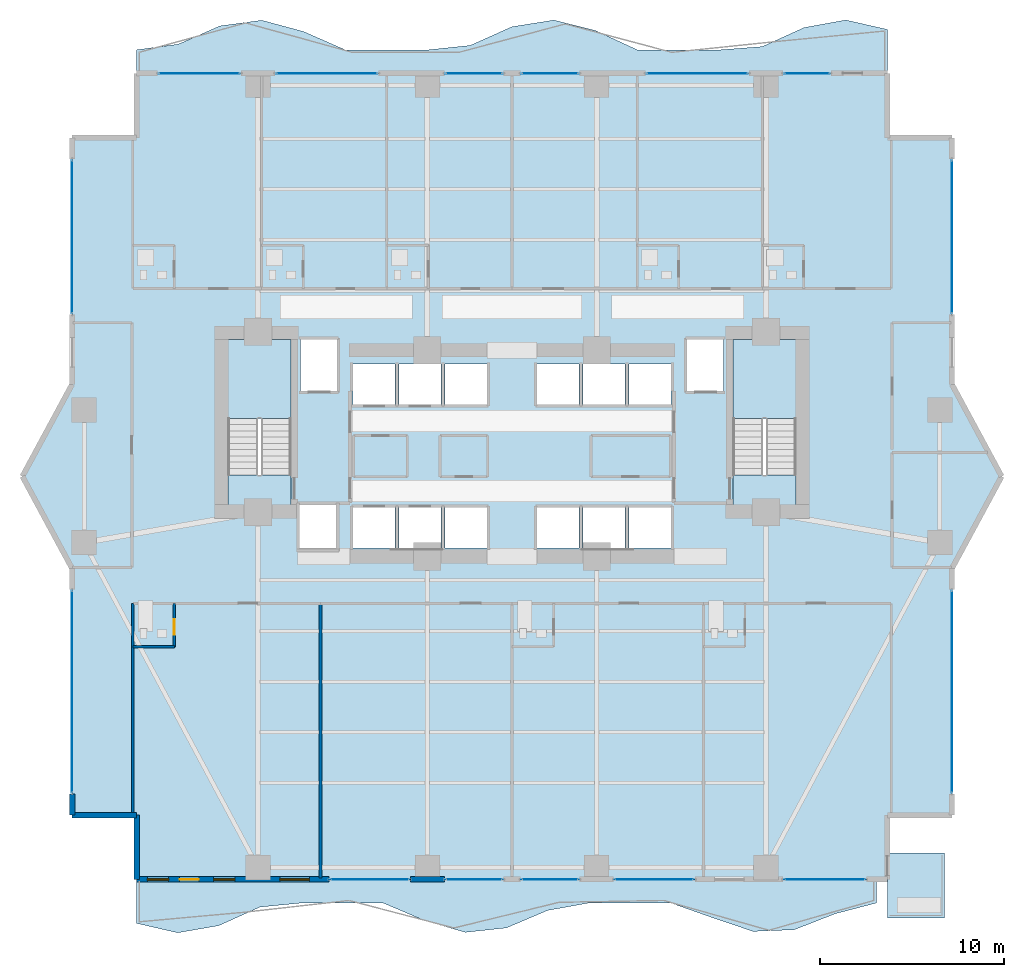
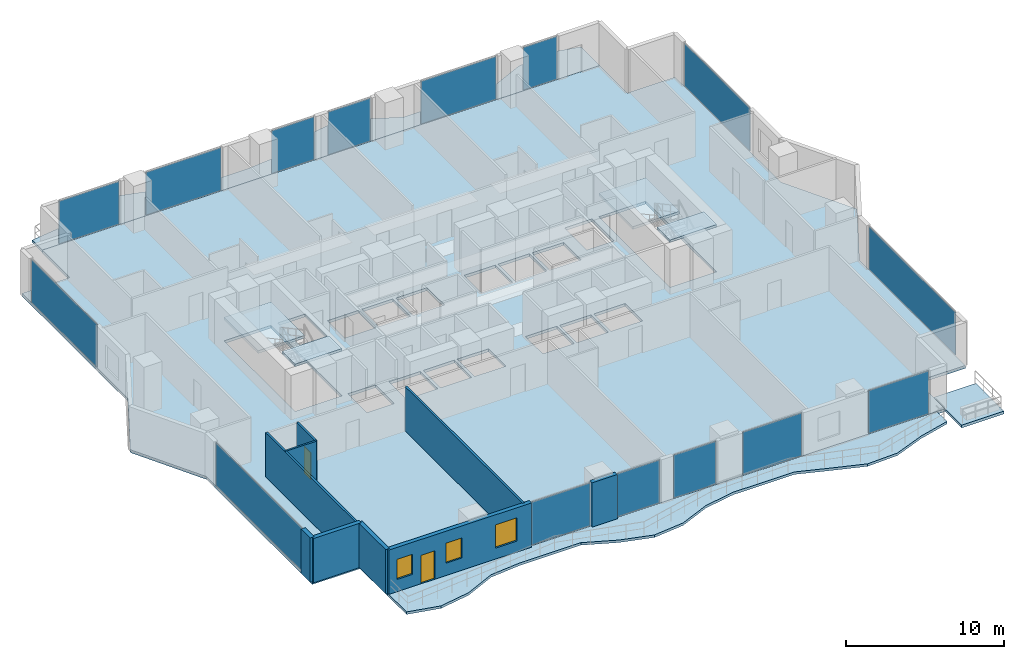
# One storey, part 20 of 29: 15 plates, 9 walls, 8 slabs, 3 windows, 2 doors, 5 openings, 17 elements without a shape of their own.
"""IFC4 building model written with IfcOpenShell, lengths in metres."""

from ifc_helpers import new_model, si_unit, direction, frame, frame_2d, origin, origin_2d, place, context, subcontext, project, spatial, polyline, rectangle, outline, extrude, material, layer, layer_set, type_object, element, fill, aggregate, save


model = new_model("IFC4")

# Units and contexts
model_context = context("Model", 3, precision=1e-05, world=origin(), true_north=direction((0.0, 1.0)))
body_context = subcontext(model_context, "Body", "Model", "MODEL_VIEW")
ifc_project = project(units=[si_unit("LENGTHUNIT", "METRE"), si_unit("AREAUNIT", "SQUARE_METRE"), si_unit("VOLUMEUNIT", "CUBIC_METRE"), si_unit("PLANEANGLEUNIT", "RADIAN"), si_unit("MASSUNIT", "GRAM", prefix="KILO")], contexts=[model_context])

# Site, building, storey
site_placement = place(None, origin())
site = spatial("IfcSite", under=ifc_project, at=site_placement, CompositionType="ELEMENT")
building_placement = place(site_placement, origin())
building = spatial("IfcBuilding", under=site, at=building_placement, Name="Zuhayl Quay Hotel", CompositionType="ELEMENT")
storey_placement = place(building_placement, frame((0.0, 0.0, 132.14990234375)))
storey = spatial("IfcBuildingStorey", under=building, at=storey_placement, Name="L33", CompositionType="ELEMENT", Elevation=132.14990234375)

# Curtain wall, plate
ifc_material_1 = material(Name="Anodised Aluminium 6063-T6", Category="aluminium")
ifc_layer_1 = layer(ifc_material_1, 0.179931640625, Name="Anodised Aluminium 6063-T6", Category="aluminium")
ifc_layer_set_1 = layer_set([ifc_layer_1], Name="Anodised Aluminium 6063-T6")
curtain_wall_type = type_object("IfcCurtainWallType", Name="CW_SYS_Z2", PredefinedType="USERDEFINED", material=ifc_layer_set_1)
curtain_wall_1_placement = place(storey_placement, origin())
curtain_wall_1 = element("IfcCurtainWall", 1, at=curtain_wall_1_placement, inside=storey, type_object=curtain_wall_type, Name="L33 Curtain Wall ENV_L33_E02_CW1", ObjectType="UNITISED CURTAIN WALL", PredefinedType="USERDEFINED")
ifc_material_2 = material(Name="Dark Ceramic-Fritted Solar Glass", Category="glass")
ifc_layer_2 = layer(ifc_material_2, 0.035888671875, Name="Dark Ceramic-Fritted Solar Glass", Category="glass")
ifc_layer_set_2 = layer_set([ifc_layer_2], Name="Dark Ceramic-Fritted Solar Glass")
plate_type = type_object("IfcPlateType", Name="PN_DARK_FRIT_Z1", PredefinedType="CURTAIN_PANEL", material=ifc_layer_set_2)
plate_1_placement = place(storey_placement, frame((-23.89990234375, -5.199951171875, 0.06005859375), z_axis=(0.0, 0.0, 1.0), x_axis=(0.0, 1.0, 0.0)))
plate_1 = element("IfcPlate", 2, at=plate_1_placement, type_object=plate_type, Name="CW-Z2 panel 1.1", PredefinedType="CURTAIN_PANEL", context=body_context, shape_type="SweptSolid", body=[
    extrude(rectangle(XDim=10.969970703125, YDim=0.035888671875, at=origin_2d()), origin(), (0.0, 0.0, 1.0), 3.31005859375),
])
aggregate(curtain_wall_1, [plate_1])

curtain_wall_2_placement = place(storey_placement, origin())
curtain_wall_2 = element("IfcCurtainWall", 3, at=curtain_wall_2_placement, inside=storey, type_object=curtain_wall_type, Name="L33 Curtain Wall ENV_L33_E05_CW1", ObjectType="UNITISED CURTAIN WALL", PredefinedType="USERDEFINED")
plate_2_placement = place(storey_placement, frame((-23.89990234375, 19.52490234375, 0.06005859375), z_axis=(0.0, 0.0, 1.0), x_axis=(0.0, 1.0, 0.0)))
plate_2 = element("IfcPlate", 4, at=plate_2_placement, type_object=plate_type, Name="CW-Z2 panel 1.1", PredefinedType="CURTAIN_PANEL", context=body_context, shape_type="SweptSolid", body=[
    extrude(rectangle(XDim=8.320068359375, YDim=0.035888671875, at=origin_2d()), origin(), (0.0, 0.0, 1.0), 3.31005859375),
])
aggregate(curtain_wall_2, [plate_2])

curtain_wall_3_placement = place(storey_placement, origin())
curtain_wall_3 = element("IfcCurtainWall", 5, at=curtain_wall_3_placement, inside=storey, type_object=curtain_wall_type, Name="L33 Curtain Wall ENV_L33_N_CW1", ObjectType="UNITISED CURTAIN WALL", PredefinedType="USERDEFINED")
plate_3_placement = place(storey_placement, frame((-16.985107421875, 28.39990234375, 0.06005859375), z_axis=(0.0, 0.0, 1.0), x_axis=(1.0, 0.0, 0.0)))
plate_3 = element("IfcPlate", 6, at=plate_3_placement, type_object=plate_type, Name="CW-Z2 panel 1.1", PredefinedType="CURTAIN_PANEL", context=body_context, shape_type="SweptSolid", body=[
    extrude(rectangle(XDim=4.39990234375, YDim=0.035888671875, at=origin_2d()), origin(), (0.0, 0.0, 1.0), 3.31005859375),
])
aggregate(curtain_wall_3, [plate_3])

curtain_wall_4_placement = place(storey_placement, origin())
curtain_wall_4 = element("IfcCurtainWall", 7, at=curtain_wall_4_placement, inside=storey, type_object=curtain_wall_type, Name="L33 Curtain Wall ENV_L33_N_CW2", ObjectType="UNITISED CURTAIN WALL", PredefinedType="USERDEFINED")
plate_4_placement = place(storey_placement, frame((-10.06494140625, 28.39990234375, 0.06005859375), z_axis=(0.0, 0.0, 1.0), x_axis=(1.0, 0.0, 0.0)))
plate_4 = element("IfcPlate", 8, at=plate_4_placement, type_object=plate_type, Name="CW-Z2 panel 1.1", PredefinedType="CURTAIN_PANEL", context=body_context, shape_type="SweptSolid", body=[
    extrude(rectangle(XDim=5.5, YDim=0.035888671875, at=origin_2d()), origin(), (0.0, 0.0, 1.0), 3.31005859375),
])
aggregate(curtain_wall_4, [plate_4])

curtain_wall_5_placement = place(storey_placement, origin())
curtain_wall_5 = element("IfcCurtainWall", 9, at=curtain_wall_5_placement, inside=storey, type_object=curtain_wall_type, Name="L33 Curtain Wall ENV_L33_N_CW3", ObjectType="UNITISED CURTAIN WALL", PredefinedType="USERDEFINED")
plate_5_placement = place(storey_placement, frame((-2.06494140625, 28.39990234375, 0.06005859375), z_axis=(0.0, 0.0, 1.0), x_axis=(1.0, 0.0, 0.0)))
plate_5 = element("IfcPlate", 10, at=plate_5_placement, type_object=plate_type, Name="CW-Z2 panel 1.1", PredefinedType="CURTAIN_PANEL", context=body_context, shape_type="SweptSolid", body=[
    extrude(rectangle(XDim=3.10009765625, YDim=0.035888671875, at=origin_2d()), origin(), (0.0, 0.0, 1.0), 3.31005859375),
])
aggregate(curtain_wall_5, [plate_5])

curtain_wall_6_placement = place(storey_placement, origin())
curtain_wall_6 = element("IfcCurtainWall", 11, at=curtain_wall_6_placement, inside=storey, type_object=curtain_wall_type, Name="L33 Curtain Wall ENV_L33_N_CW4", ObjectType="UNITISED CURTAIN WALL", PredefinedType="USERDEFINED")
plate_6_placement = place(storey_placement, frame((2.06494140625, 28.39990234375, 0.06005859375), z_axis=(0.0, 0.0, 1.0), x_axis=(1.0, 0.0, 0.0)))
plate_6 = element("IfcPlate", 12, at=plate_6_placement, type_object=plate_type, Name="CW-Z2 panel 1.1", PredefinedType="CURTAIN_PANEL", context=body_context, shape_type="SweptSolid", body=[
    extrude(rectangle(XDim=3.10009765625, YDim=0.035888671875, at=origin_2d()), origin(), (0.0, 0.0, 1.0), 3.31005859375),
])
aggregate(curtain_wall_6, [plate_6])

curtain_wall_7_placement = place(storey_placement, origin())
curtain_wall_7 = element("IfcCurtainWall", 13, at=curtain_wall_7_placement, inside=storey, type_object=curtain_wall_type, Name="L33 Curtain Wall ENV_L33_N_CW5", ObjectType="UNITISED CURTAIN WALL", PredefinedType="USERDEFINED")
plate_7_placement = place(storey_placement, frame((10.06494140625, 28.39990234375, 0.06005859375), z_axis=(0.0, 0.0, 1.0), x_axis=(1.0, 0.0, 0.0)))
plate_7 = element("IfcPlate", 14, at=plate_7_placement, type_object=plate_type, Name="CW-Z2 panel 1.1", PredefinedType="CURTAIN_PANEL", context=body_context, shape_type="SweptSolid", body=[
    extrude(rectangle(XDim=5.5, YDim=0.035888671875, at=origin_2d()), origin(), (0.0, 0.0, 1.0), 3.31005859375),
])
aggregate(curtain_wall_7, [plate_7])

curtain_wall_8_placement = place(storey_placement, origin())
curtain_wall_8 = element("IfcCurtainWall", 15, at=curtain_wall_8_placement, inside=storey, type_object=curtain_wall_type, Name="L33 Curtain Wall ENV_L33_N_CW6", ObjectType="UNITISED CURTAIN WALL", PredefinedType="USERDEFINED")
plate_8_placement = place(storey_placement, frame((16.0224609375, 28.39990234375, 0.06005859375), z_axis=(0.0, 0.0, 1.0), x_axis=(1.0, 0.0, 0.0)))
plate_8 = element("IfcPlate", 16, at=plate_8_placement, type_object=plate_type, Name="CW-Z2 panel 1.1", PredefinedType="CURTAIN_PANEL", context=body_context, shape_type="SweptSolid", body=[
    extrude(rectangle(XDim=2.47509765625, YDim=0.035888671875, at=origin_2d()), origin(), (0.0, 0.0, 1.0), 3.31005859375),
])
aggregate(curtain_wall_8, [plate_8])

curtain_wall_9_placement = place(storey_placement, origin())
curtain_wall_9 = element("IfcCurtainWall", 17, at=curtain_wall_9_placement, inside=storey, type_object=curtain_wall_type, Name="L33 Curtain Wall ENV_L33_E11_CW1", ObjectType="UNITISED CURTAIN WALL", PredefinedType="USERDEFINED")
plate_9_placement = place(storey_placement, frame((23.89990234375, 19.52490234375, 0.06005859375), z_axis=(0.0, 0.0, 1.0), x_axis=(0.0, -1.0, 0.0)))
plate_9 = element("IfcPlate", 18, at=plate_9_placement, type_object=plate_type, Name="CW-Z2 panel 1.1", PredefinedType="CURTAIN_PANEL", context=body_context, shape_type="SweptSolid", body=[
    extrude(rectangle(XDim=8.320068359375, YDim=0.035888671875, at=origin_2d()), origin(), (0.0, 0.0, 1.0), 3.31005859375),
])
aggregate(curtain_wall_9, [plate_9])

curtain_wall_10_placement = place(storey_placement, origin())
curtain_wall_10 = element("IfcCurtainWall", 19, at=curtain_wall_10_placement, inside=storey, type_object=curtain_wall_type, Name="L33 Curtain Wall ENV_L33_E14_CW1", ObjectType="UNITISED CURTAIN WALL", PredefinedType="USERDEFINED")
plate_10_placement = place(storey_placement, frame((23.89990234375, -5.199951171875, 0.06005859375), z_axis=(0.0, 0.0, 1.0), x_axis=(0.0, -1.0, 0.0)))
plate_10 = element("IfcPlate", 20, at=plate_10_placement, type_object=plate_type, Name="CW-Z2 panel 1.1", PredefinedType="CURTAIN_PANEL", context=body_context, shape_type="SweptSolid", body=[
    extrude(rectangle(XDim=10.969970703125, YDim=0.035888671875, at=origin_2d()), origin(), (0.0, 0.0, 1.0), 3.31005859375),
])
aggregate(curtain_wall_10, [plate_10])

curtain_wall_11_placement = place(storey_placement, origin())
curtain_wall_11 = element("IfcCurtainWall", 21, at=curtain_wall_11_placement, inside=storey, type_object=curtain_wall_type, Name="L33 Curtain Wall ENV_L33_S_CW1", ObjectType="UNITISED CURTAIN WALL", PredefinedType="USERDEFINED")
plate_11_placement = place(storey_placement, frame((16.985107421875, -15.39990234375, 0.06005859375), z_axis=(0.0, 0.0, 1.0), x_axis=(-1.0, 0.0, 0.0)))
plate_11 = element("IfcPlate", 22, at=plate_11_placement, type_object=plate_type, Name="CW-Z2 panel 1.1", PredefinedType="CURTAIN_PANEL", context=body_context, shape_type="SweptSolid", body=[
    extrude(rectangle(XDim=4.39990234375, YDim=0.035888671875, at=origin_2d()), origin(), (0.0, 0.0, 1.0), 3.31005859375),
])
aggregate(curtain_wall_11, [plate_11])

curtain_wall_12_placement = place(storey_placement, origin())
curtain_wall_12 = element("IfcCurtainWall", 23, at=curtain_wall_12_placement, inside=storey, type_object=curtain_wall_type, Name="L33 Curtain Wall ENV_L33_S_CW2", ObjectType="UNITISED CURTAIN WALL", PredefinedType="USERDEFINED")
plate_12_placement = place(storey_placement, frame((7.735107421875, -15.39990234375, 0.06005859375), z_axis=(0.0, 0.0, 1.0), x_axis=(-1.0, 0.0, 0.0)))
plate_12 = element("IfcPlate", 24, at=plate_12_placement, type_object=plate_type, Name="CW-Z2 panel 1.1", PredefinedType="CURTAIN_PANEL", context=body_context, shape_type="SweptSolid", body=[
    extrude(rectangle(XDim=4.300048828125, YDim=0.035888671875, at=origin_2d()), origin(), (0.0, 0.0, 1.0), 3.31005859375),
])
aggregate(curtain_wall_12, [plate_12])

curtain_wall_13_placement = place(storey_placement, origin())
curtain_wall_13 = element("IfcCurtainWall", 25, at=curtain_wall_13_placement, inside=storey, type_object=curtain_wall_type, Name="L33 Curtain Wall ENV_L33_S_CW3", ObjectType="UNITISED CURTAIN WALL", PredefinedType="USERDEFINED")
plate_13_placement = place(storey_placement, frame((2.06494140625, -15.39990234375, 0.06005859375), z_axis=(0.0, 0.0, 1.0), x_axis=(-1.0, 0.0, 0.0)))
plate_13 = element("IfcPlate", 26, at=plate_13_placement, type_object=plate_type, Name="CW-Z2 panel 1.1", PredefinedType="CURTAIN_PANEL", context=body_context, shape_type="SweptSolid", body=[
    extrude(rectangle(XDim=3.10009765625, YDim=0.035888671875, at=origin_2d()), origin(), (0.0, 0.0, 1.0), 3.31005859375),
])
aggregate(curtain_wall_13, [plate_13])

curtain_wall_14_placement = place(storey_placement, origin())
curtain_wall_14 = element("IfcCurtainWall", 27, at=curtain_wall_14_placement, inside=storey, type_object=curtain_wall_type, Name="L33 Curtain Wall ENV_L33_S_CW4", ObjectType="UNITISED CURTAIN WALL", PredefinedType="USERDEFINED")
plate_14_placement = place(storey_placement, frame((-2.06494140625, -15.39990234375, 0.06005859375), z_axis=(0.0, 0.0, 1.0), x_axis=(-1.0, 0.0, 0.0)))
plate_14 = element("IfcPlate", 28, at=plate_14_placement, type_object=plate_type, Name="CW-Z2 panel 1.1", PredefinedType="CURTAIN_PANEL", context=body_context, shape_type="SweptSolid", body=[
    extrude(rectangle(XDim=3.10009765625, YDim=0.035888671875, at=origin_2d()), origin(), (0.0, 0.0, 1.0), 3.31005859375),
])
aggregate(curtain_wall_14, [plate_14])

curtain_wall_15_placement = place(storey_placement, origin())
curtain_wall_15 = element("IfcCurtainWall", 29, at=curtain_wall_15_placement, inside=storey, type_object=curtain_wall_type, Name="L33 Curtain Wall ENV_L33_S_CW5", ObjectType="UNITISED CURTAIN WALL", PredefinedType="USERDEFINED")
plate_15_placement = place(storey_placement, frame((-7.735107421875, -15.39990234375, 0.06005859375), z_axis=(0.0, 0.0, 1.0), x_axis=(-1.0, 0.0, 0.0)))
plate_15 = element("IfcPlate", 30, at=plate_15_placement, type_object=plate_type, Name="CW-Z2 panel 1.1", PredefinedType="CURTAIN_PANEL", context=body_context, shape_type="SweptSolid", body=[
    extrude(rectangle(XDim=4.300048828125, YDim=0.035888671875, at=origin_2d()), origin(), (0.0, 0.0, 1.0), 3.31005859375),
])
aggregate(curtain_wall_15, [plate_15])

# Slabs
ifc_material_3 = material(Name="Concrete C45/55", Category="concrete")
ifc_layer_3 = layer(ifc_material_3, 0.195068359375, Name="Concrete C45/55", Category="concrete")
ifc_layer_set_3 = layer_set([ifc_layer_3], Name="Concrete C45/55")
slab_type_1 = type_object("IfcSlabType", Name="SL_BALCONY_195", PredefinedType="FLOOR", material=ifc_layer_set_3)
slab_1_placement = place(storey_placement, frame((0.0, 0.0, -0.19482421875)))
element("IfcSlab", 31, at=slab_1_placement, inside=storey, type_object=slab_type_1, Name="L33 Exterior Rippling Balcony Slab North", PredefinedType="FLOOR", context=body_context, shape_type="SweptSolid", body=[
    extrude(outline(polyline([(-20.39990234375, 28.39990234375), (20.39990234375, 28.39990234375), (20.39990234375, 30.78466796875), (18.13330078125, 31.29833984375), (15.86669921875, 30.886474609375), (13.60009765625, 29.8544921875), (11.333251953125, 29.679931640625), (9.066650390625, 29.679931640625), (6.800048828125, 29.679931640625), (4.533203125, 30.730712890625), (2.2666015625, 31.293212890625), (0.0, 30.933837890625), (-2.2666015625, 29.919189453125), (-4.533203125, 29.679931640625), (-6.800048828125, 29.679931640625), (-9.066650390625, 29.679931640625), (-11.333251953125, 30.675048828125), (-13.60009765625, 31.28466796875), (-15.86669921875, 30.97900390625), (-18.13330078125, 29.984619140625), (-20.39990234375, 29.679931640625), (-20.39990234375, 28.39990234375)])), origin(), (0.0, 0.0, 1.0), 0.19482421875),
])
slab_2_placement = place(storey_placement, frame((0.0, 0.0, -0.19482421875)))
element("IfcSlab", 32, at=slab_2_placement, inside=storey, type_object=slab_type_1, Name="L33 Exterior Rippling Balcony Slab South", PredefinedType="FLOOR", context=body_context, shape_type="SweptSolid", body=[
    extrude(outline(polyline([(-20.39990234375, -17.78466796875), (-18.166748046875, -18.29736328125), (-15.933349609375, -17.910400390625), (-13.699951171875, -16.903076171875), (-11.466796875, -16.679931640625), (-9.2333984375, -16.679931640625), (-7.0, -16.679931640625), (-4.7666015625, -17.632080078125), (-2.533203125, -18.272705078125), (-0.300048828125, -18.031494140625), (1.933349609375, -17.082763671875), (4.166748046875, -16.679931640625), (6.39990234375, -16.679931640625), (8.63330078125, -16.679931640625), (10.86669921875, -17.46728515625), (13.10009765625, -18.22265625), (15.333251953125, -18.132568359375), (17.566650390625, -17.26171875), (19.800048828125, -16.679931640625), (19.800048828125, -15.39990234375), (-20.39990234375, -15.39990234375), (-20.39990234375, -17.78466796875)])), origin(), (0.0, 0.0, 1.0), 0.19482421875),
])
ifc_layer_4 = layer(ifc_material_3, 0.219970703125, Name="Concrete C45/55", Category="concrete")
ifc_layer_set_4 = layer_set([ifc_layer_4], Name="Concrete C45/55")
slab_type_2 = type_object("IfcSlabType", Name="SL_FLOOR_220", PredefinedType="FLOOR", material=ifc_layer_set_4)
slab_3_placement = place(storey_placement, frame((0.0, 0.0, -0.219970703125)))
element("IfcSlab", 33, at=slab_3_placement, inside=storey, type_object=slab_type_2, Name="L33 Structural Floor Slab", PredefinedType="FLOOR", context=body_context, shape_type="SweptSolid", body=[
    extrude(outline(polyline([(-20.39990234375, -15.39990234375), (20.39990234375, -15.39990234375), (20.39990234375, -11.89990234375), (23.89990234375, -11.89990234375), (23.89990234375, 1.5), (26.60009765625, 6.5), (23.89990234375, 11.5), (23.89990234375, 24.89990234375), (20.39990234375, 24.89990234375), (20.39990234375, 28.39990234375), (-20.39990234375, 28.39990234375), (-20.39990234375, 24.89990234375), (-23.89990234375, 24.89990234375), (-23.89990234375, 11.5), (-26.60009765625, 6.5), (-23.89990234375, 1.5), (-23.89990234375, -11.89990234375), (-20.39990234375, -11.89990234375), (-20.39990234375, -15.39990234375)]), holes=[polyline([(-12.0, 4.949951171875), (-12.0, 13.949951171875), (-15.429931640625, 13.949951171875), (-15.429931640625, 4.949951171875), (-12.0, 4.949951171875)]), polyline([(15.429931640625, 4.949951171875), (15.429931640625, 13.949951171875), (12.0, 13.949951171875), (12.0, 4.949951171875), (15.429931640625, 4.949951171875)]), polyline([(-11.5, 11.14990234375), (-9.5, 11.14990234375), (-9.5, 13.949951171875), (-11.5, 13.949951171875), (-11.5, 11.14990234375)]), polyline([(9.5, 11.14990234375), (11.5, 11.14990234375), (11.5, 13.949951171875), (9.5, 13.949951171875), (9.5, 11.14990234375)]), polyline([(-8.64990234375, 2.60009765625), (-6.35009765625, 2.60009765625), (-6.35009765625, 4.800048828125), (-8.64990234375, 4.800048828125), (-8.64990234375, 2.60009765625)]), polyline([(-6.14990234375, 2.60009765625), (-3.85009765625, 2.60009765625), (-3.85009765625, 4.800048828125), (-6.14990234375, 4.800048828125), (-6.14990234375, 2.60009765625)]), polyline([(-8.64990234375, 10.39990234375), (-6.35009765625, 10.39990234375), (-6.35009765625, 12.60009765625), (-8.64990234375, 12.60009765625), (-8.64990234375, 10.39990234375)]), polyline([(-6.14990234375, 10.39990234375), (-3.85009765625, 10.39990234375), (-3.85009765625, 12.60009765625), (-6.14990234375, 12.60009765625), (-6.14990234375, 10.39990234375)]), polyline([(-3.64990234375, 2.60009765625), (-1.35009765625, 2.60009765625), (-1.35009765625, 4.800048828125), (-3.64990234375, 4.800048828125), (-3.64990234375, 2.60009765625)]), polyline([(1.35009765625, 2.60009765625), (3.64990234375, 2.60009765625), (3.64990234375, 4.800048828125), (1.35009765625, 4.800048828125), (1.35009765625, 2.60009765625)]), polyline([(-3.64990234375, 10.39990234375), (-1.35009765625, 10.39990234375), (-1.35009765625, 12.60009765625), (-3.64990234375, 12.60009765625), (-3.64990234375, 10.39990234375)]), polyline([(1.35009765625, 10.39990234375), (3.64990234375, 10.39990234375), (3.64990234375, 12.60009765625), (1.35009765625, 12.60009765625), (1.35009765625, 10.39990234375)]), polyline([(3.85009765625, 2.60009765625), (6.14990234375, 2.60009765625), (6.14990234375, 4.800048828125), (3.85009765625, 4.800048828125), (3.85009765625, 2.60009765625)]), polyline([(6.35009765625, 2.60009765625), (8.64990234375, 2.60009765625), (8.64990234375, 4.800048828125), (6.35009765625, 4.800048828125), (6.35009765625, 2.60009765625)]), polyline([(3.85009765625, 10.39990234375), (6.14990234375, 10.39990234375), (6.14990234375, 12.60009765625), (3.85009765625, 12.60009765625), (3.85009765625, 10.39990234375)]), polyline([(6.35009765625, 10.39990234375), (8.64990234375, 10.39990234375), (8.64990234375, 12.60009765625), (6.35009765625, 12.60009765625), (6.35009765625, 10.39990234375)]), polyline([(-11.550048828125, 2.550048828125), (-9.550048828125, 2.550048828125), (-9.550048828125, 4.949951171875), (-11.550048828125, 4.949951171875), (-11.550048828125, 2.550048828125)])]), origin(), (0.0, 0.0, 1.0), 0.219970703125),
])

# Stair, slabs
stair_type = type_object("IfcStairType", Name="ST_DOGLEG_TOWER", PredefinedType="HALF_TURN_STAIR", material=ifc_material_3)
stair_1_placement = place(storey_placement, origin())
stair_1 = element("IfcStair", 34, at=stair_1_placement, inside=storey, type_object=stair_type, Name="L33 Smokeproof Exit Stair ST1", PredefinedType="HALF_TURN_STAIR")
ifc_layer_5 = layer(ifc_material_3, 0.199951171875, Name="Concrete C45/55", Category="concrete")
ifc_layer_set_5 = layer_set([ifc_layer_5], Name="Concrete C45/55")
slab_type_3 = type_object("IfcSlabType", Name="SL_STAIR_LANDING_200", PredefinedType="LANDING", material=ifc_layer_set_5)
slab_4_placement = place(storey_placement, frame((0.0, 0.0, 1.625)))
slab_4 = element("IfcSlab", 35, at=slab_4_placement, type_object=slab_type_3, Name="ST1 landing 1", PredefinedType="LANDING", context=body_context, shape_type="SweptSolid", body=[
    extrude(outline(polyline([(-12.0, 9.64990234375), (-12.0, 13.949951171875), (-15.429931640625, 13.949951171875), (-15.429931640625, 9.64990234375), (-12.0, 9.64990234375)])), origin(), (0.0, 0.0, 1.0), 0.2001953125),
])
slab_5_placement = place(storey_placement, frame((0.0, 0.0, 3.4501953125)))
slab_5 = element("IfcSlab", 36, at=slab_5_placement, type_object=slab_type_3, Name="ST1 landing 2", PredefinedType="LANDING", context=body_context, shape_type="SweptSolid", body=[
    extrude(outline(polyline([(-12.0, 4.949951171875), (-12.0, 6.590087890625), (-15.429931640625, 6.590087890625), (-15.429931640625, 4.949951171875), (-12.0, 4.949951171875)])), origin(), (0.0, 0.0, 1.0), 0.199951171875),
])
aggregate(stair_1, [slab_4, slab_5])

stair_2_placement = place(storey_placement, origin())
stair_2 = element("IfcStair", 37, at=stair_2_placement, inside=storey, type_object=stair_type, Name="L33 Smokeproof Exit Stair ST2", PredefinedType="HALF_TURN_STAIR")
slab_6_placement = place(storey_placement, frame((0.0, 0.0, 1.625)))
slab_6 = element("IfcSlab", 38, at=slab_6_placement, type_object=slab_type_3, Name="ST2 landing 1", PredefinedType="LANDING", context=body_context, shape_type="SweptSolid", body=[
    extrude(outline(polyline([(15.429931640625, 9.64990234375), (15.429931640625, 13.949951171875), (12.0, 13.949951171875), (12.0, 9.64990234375), (15.429931640625, 9.64990234375)])), origin(), (0.0, 0.0, 1.0), 0.2001953125),
])
slab_7_placement = place(storey_placement, frame((0.0, 0.0, 3.4501953125)))
slab_7 = element("IfcSlab", 39, at=slab_7_placement, type_object=slab_type_3, Name="ST2 landing 2", PredefinedType="LANDING", context=body_context, shape_type="SweptSolid", body=[
    extrude(outline(polyline([(15.429931640625, 4.949951171875), (15.429931640625, 6.590087890625), (12.0, 6.590087890625), (12.0, 4.949951171875), (15.429931640625, 4.949951171875)])), origin(), (0.0, 0.0, 1.0), 0.199951171875),
])
aggregate(stair_2, [slab_6, slab_7])

# Slab
ifc_layer_6 = layer(ifc_material_3, 0.219970703125, Name="Concrete C45/55", Category="concrete")
ifc_layer_set_6 = layer_set([ifc_layer_6], Name="Concrete C45/55")
slab_type_4 = type_object("IfcSlabType", Name="SL_TERRACE_235", PredefinedType="FLOOR", material=ifc_layer_set_6)
slab_8_placement = place(storey_placement, frame((0.0, 0.0, -0.219970703125)))
element("IfcSlab", 40, at=slab_8_placement, inside=storey, type_object=slab_type_4, Name="L33 Exterior Sky-Terrace Slab L33_SPIRAL_SE", PredefinedType="FLOOR", context=body_context, shape_type="SweptSolid", body=[
    extrude(outline(polyline([(20.39990234375, -17.5), (23.5, -17.5), (23.5, -13.949951171875), (20.39990234375, -13.949951171875), (20.39990234375, -17.5)])), origin(), (0.0, 0.0, 1.0), 0.219970703125),
])

# Walls
ifc_material_4 = material(Name="Precast concrete C45/55", Category="concrete")
ifc_layer_7 = layer(ifc_material_4, 0.300048828125, Name="Precast concrete C45/55", Category="concrete")
ifc_layer_set_7 = layer_set([ifc_layer_7], Name="Precast concrete C45/55")
wall_type_1 = type_object("IfcWallType", Name="WL_EXT_300", PredefinedType="STANDARD", material=ifc_layer_set_7)
wall_1_placement = place(storey_placement, frame((-20.39990234375, -11.89990234375, 0.0), z_axis=(0.0, 0.0, 1.0), x_axis=(-1.0, 0.0, 0.0)))
element("IfcWall", 41, at=wall_1_placement, inside=storey, type_object=wall_type_1, Name="L33 Exterior Precast Wall ENV_L33_EW01", PredefinedType="STANDARD", context=body_context, shape_type="SweptSolid", body=[
    extrude(rectangle(XDim=3.5, YDim=0.300048828125, at=frame_2d((1.75, 0.0))), origin(), (0.0, 0.0, 1.0), 3.43017578125),
])
wall_2_placement = place(storey_placement, frame((-23.89990234375, -11.89990234375, 0.0), z_axis=(0.0, 0.0, 1.0), x_axis=(0.0, 1.0, 0.0)))
element("IfcWall", 42, at=wall_2_placement, inside=storey, type_object=wall_type_1, Name="L33 Exterior Precast Wall ENV_L33_E02_EW1", PredefinedType="STANDARD", context=body_context, shape_type="SweptSolid", body=[
    extrude(rectangle(XDim=1.14990234375, YDim=0.300048828125, at=frame_2d((0.574951171875, 0.0))), origin(), (0.0, 0.0, 1.0), 3.43017578125),
])
wall_3_placement = place(storey_placement, frame((-3.679931640625, -15.39990234375, 0.0), z_axis=(0.0, 0.0, 1.0), x_axis=(-1.0, 0.0, 0.0)))
element("IfcWall", 43, at=wall_3_placement, inside=storey, type_object=wall_type_1, Name="L33 Exterior Precast Wall ENV_L33_S_EW5", PredefinedType="STANDARD", context=body_context, shape_type="SweptSolid", body=[
    extrude(rectangle(XDim=1.840087890625, YDim=0.300048828125, at=frame_2d((0.919921875, 0.0))), origin(), (0.0, 0.0, 1.0), 3.43017578125),
])

# Wall, openings, door, windows
wall_4_placement = place(storey_placement, frame((-9.949951171875, -15.39990234375, 0.0), z_axis=(0.0, 0.0, 1.0), x_axis=(-1.0, 0.0, 0.0)))
wall_4 = element("IfcWall", 44, at=wall_4_placement, inside=storey, type_object=wall_type_1, Name="L33 Exterior Precast Wall ENV_L33_S_EW6", PredefinedType="STANDARD", context=body_context, shape_type="SweptSolid", body=[
    extrude(rectangle(XDim=10.449951171875, YDim=0.300048828125, at=frame_2d((5.22509765625, 0.0))), origin(), (0.0, 0.0, 1.0), 3.43017578125),
])
opening_1_placement = place(wall_4_placement, frame((7.06494140625, 0.0, 0.0)))
opening_1 = element("IfcOpeningElement", 45, at=opening_1_placement, cuts=wall_4, Name="Opening DG1", PredefinedType="OPENING", context=body_context, shape_type="SweptSolid", body=[
    extrude(rectangle(XDim=1.050048828125, YDim=2.199951171875, at=frame_2d((0.52490234375, 1.10009765625))), frame((0.0, 0.159912109375, 0.0), z_axis=(0.0, -1.0, 0.0), x_axis=(1.0, 0.0, 0.0)), (0.0, 0.0, 1.0), 0.320068359375),
])
opening_2_placement = place(wall_4_placement, frame((1.06005859375, 0.0, 0.85009765625)))
opening_2 = element("IfcOpeningElement", 46, at=opening_2_placement, cuts=wall_4, Name="Opening W01", PredefinedType="OPENING", context=body_context, shape_type="SweptSolid", body=[
    extrude(rectangle(XDim=1.60009765625, YDim=1.800048828125, at=frame_2d((0.800048828125, 0.89990234375))), frame((0.0, 0.159912109375, 0.0), z_axis=(0.0, -1.0, 0.0), x_axis=(1.0, 0.0, 0.0)), (0.0, 0.0, 1.0), 0.320068359375),
])
opening_3_placement = place(wall_4_placement, frame((5.107421875, 0.0, 0.949951171875)))
opening_3 = element("IfcOpeningElement", 47, at=opening_3_placement, cuts=wall_4, Name="Opening W01N", PredefinedType="OPENING", context=body_context, shape_type="SweptSolid", body=[
    extrude(rectangle(XDim=1.14990234375, YDim=1.550048828125, at=frame_2d((0.574951171875, 0.77490234375))), frame((0.0, 0.159912109375, 0.0), z_axis=(0.0, -1.0, 0.0), x_axis=(1.0, 0.0, 0.0)), (0.0, 0.0, 1.0), 0.320068359375),
])
opening_4_placement = place(wall_4_placement, frame((8.71240234375, 0.0, 0.949951171875)))
opening_4 = element("IfcOpeningElement", 48, at=opening_4_placement, cuts=wall_4, Name="Opening W01N", PredefinedType="OPENING", context=body_context, shape_type="SweptSolid", body=[
    extrude(rectangle(XDim=1.14990234375, YDim=1.550048828125, at=frame_2d((0.574951171875, 0.77490234375))), frame((0.0, 0.159912109375, 0.0), z_axis=(0.0, -1.0, 0.0), x_axis=(1.0, 0.0, 0.0)), (0.0, 0.0, 1.0), 0.320068359375),
])
ifc_material_5 = material(Name="Anodised Aluminium and Dark Solar Glass", Category="aluminium")
door_type_1 = type_object("IfcDoorType", Name="DR_EXT_TERR_1050", OperationType="NOTDEFINED", PredefinedType="DOOR", material=ifc_material_5)
door_1_placement = place(opening_1_placement, origin())
door_1 = element("IfcDoor", 49, at=door_1_placement, inside=storey, type_object=door_type_1, Name="L33 South Rippling Balcony Door", OperationType="SINGLE_SWING_RIGHT", OverallHeight=2.199951171875, OverallWidth=1.050048828125, PredefinedType="DOOR", context=body_context, shape_type="SweptSolid", body=[
    extrude(rectangle(XDim=1.050048828125, YDim=2.199951171875, at=frame_2d((0.52490234375, 1.10009765625))), frame((0.0, 0.02490234375, 0.0), z_axis=(0.0, -1.0, 0.0), x_axis=(1.0, 0.0, 0.0)), (0.0, 0.0, 1.0), 0.050048828125),
])
fill(opening_1, door_1)
window_type_1 = type_object("IfcWindowType", Name="WN_NOTCH_1350", PartitioningType="SINGLE_PANEL", PredefinedType="WINDOW", material=ifc_material_2)
window_1_placement = place(opening_3_placement, origin())
window_1 = element("IfcWindow", 50, at=window_1_placement, inside=storey, type_object=window_type_1, Name="L33 Operable Facade Window 6-2", OverallHeight=1.550048828125, OverallWidth=1.14990234375, PartitioningType="SINGLE_PANEL", PredefinedType="WINDOW", context=body_context, shape_type="SweptSolid", body=[
    extrude(rectangle(XDim=1.14990234375, YDim=1.550048828125, at=frame_2d((0.574951171875, 0.77490234375))), frame((0.0, 0.030029296875, 0.0), z_axis=(0.0, -1.0, 0.0), x_axis=(1.0, 0.0, 0.0)), (0.0, 0.0, 1.0), 0.06005859375),
])
fill(opening_3, window_1)
window_2_placement = place(opening_4_placement, origin())
window_2 = element("IfcWindow", 51, at=window_2_placement, inside=storey, type_object=window_type_1, Name="L33 Operable Facade Window 6-3", OverallHeight=1.550048828125, OverallWidth=1.14990234375, PartitioningType="SINGLE_PANEL", PredefinedType="WINDOW", context=body_context, shape_type="SweptSolid", body=[
    extrude(rectangle(XDim=1.14990234375, YDim=1.550048828125, at=frame_2d((0.574951171875, 0.77490234375))), frame((0.0, 0.030029296875, 0.0), z_axis=(0.0, -1.0, 0.0), x_axis=(1.0, 0.0, 0.0)), (0.0, 0.0, 1.0), 0.06005859375),
])
fill(opening_4, window_2)
window_type_2 = type_object("IfcWindowType", Name="WN_OPERABLE_1600", PartitioningType="DOUBLE_PANEL_VERTICAL", PredefinedType="WINDOW", material=ifc_material_2)
window_3_placement = place(opening_2_placement, origin())
window_3 = element("IfcWindow", 52, at=window_3_placement, inside=storey, type_object=window_type_2, Name="L33 Operable Facade Window 6-1", OverallHeight=1.800048828125, OverallWidth=1.60009765625, PartitioningType="SINGLE_PANEL", PredefinedType="WINDOW", context=body_context, shape_type="SweptSolid", body=[
    extrude(rectangle(XDim=1.60009765625, YDim=1.800048828125, at=frame_2d((0.800048828125, 0.89990234375))), frame((0.0, 0.030029296875, 0.0), z_axis=(0.0, -1.0, 0.0), x_axis=(1.0, 0.0, 0.0)), (0.0, 0.0, 1.0), 0.06005859375),
])
fill(opening_2, window_3)

# Walls
wall_5_placement = place(storey_placement, frame((-20.39990234375, -15.39990234375, 0.0), z_axis=(0.0, 0.0, 1.0), x_axis=(0.0, 1.0, 0.0)))
element("IfcWall", 53, at=wall_5_placement, inside=storey, type_object=wall_type_1, Name="L33 Exterior Precast Wall ENV_L33_EW18", PredefinedType="STANDARD", context=body_context, shape_type="SweptSolid", body=[
    extrude(rectangle(XDim=3.5, YDim=0.300048828125, at=frame_2d((1.75, 0.0))), origin(), (0.0, 0.0, 1.0), 3.43017578125),
])
ifc_material_6 = material(Name="Acoustic Gypsum Partition STC-58")
ifc_layer_8 = layer(ifc_material_6, 0.14990234375, Name="Acoustic Gypsum Partition STC-58")
ifc_layer_set_8 = layer_set([ifc_layer_8], Name="Acoustic Gypsum Partition STC-58")
wall_type_2 = type_object("IfcWallType", Name="WL_PART_150", PredefinedType="PARTITIONING", material=ifc_layer_set_8)
wall_6_placement = place(storey_placement, frame((-20.60009765625, -11.89990234375, 0.0), z_axis=(0.0, 0.0, 1.0), x_axis=(0.0, 1.0, 0.0)))
element("IfcWall", 54, at=wall_6_placement, inside=storey, type_object=wall_type_2, Name="L33 Partition IW_L33_SU01_W", PredefinedType="PARTITIONING", context=body_context, shape_type="SweptSolid", body=[
    extrude(rectangle(XDim=11.5, YDim=0.14990234375, at=frame_2d((5.75, 0.0))), origin(), (0.0, 0.0, 1.0), 3.43017578125),
])
wall_7_placement = place(storey_placement, frame((-10.39990234375, -15.320068359375, 0.0), z_axis=(0.0, 0.0, 1.0), x_axis=(0.0, 1.0, 0.0)))
element("IfcWall", 55, at=wall_7_placement, inside=storey, type_object=wall_type_2, Name="L33 Partition IW_L33_SU01_E", PredefinedType="PARTITIONING", context=body_context, shape_type="SweptSolid", body=[
    extrude(rectangle(XDim=14.920166015625, YDim=0.14990234375, at=frame_2d((7.4599609375, 0.0))), origin(), (0.0, 0.0, 1.0), 3.43017578125),
])

# Wall, opening, door
ifc_material_7 = material(Name="Moisture-Resistant Sanitarychase Gypsum")
ifc_layer_9 = layer(ifc_material_7, 0.135009765625, Name="Moisture-Resistant Sanitarychase Gypsum")
ifc_layer_set_9 = layer_set([ifc_layer_9], Name="Moisture-Resistant Sanitarychase Gypsum")
wall_type_3 = type_object("IfcWallType", Name="WL_PART_PLUMB_150", PredefinedType="PLUMBINGWALL", material=ifc_layer_set_9)
wall_8_placement = place(storey_placement, frame((-18.340087890625, -2.760009765625, 0.0), z_axis=(0.0, 0.0, 1.0), x_axis=(0.0, 1.0, 0.0)))
wall_8 = element("IfcWall", 56, at=wall_8_placement, inside=storey, type_object=wall_type_3, Name="L33 Partition IW_L33_SU01_BE", PredefinedType="PLUMBINGWALL", context=body_context, shape_type="SweptSolid", body=[
    extrude(rectangle(XDim=2.360107421875, YDim=0.135009765625, at=frame_2d((1.18017578125, 0.0))), origin(), (0.0, 0.0, 1.0), 3.43017578125),
])
opening_5_placement = place(wall_8_placement, frame((0.64990234375, 0.0, 0.0)))
opening_5 = element("IfcOpeningElement", 57, at=opening_5_placement, cuts=wall_8, Name="Opening D04", PredefinedType="OPENING", context=body_context, shape_type="SweptSolid", body=[
    extrude(rectangle(XDim=0.85009765625, YDim=2.10009765625, at=frame_2d((0.425048828125, 1.050048828125))), frame((0.0, 0.077392578125, 0.0), z_axis=(0.0, -1.0, 0.0), x_axis=(1.0, 0.0, 0.0)), (0.0, 0.0, 1.0), 0.155029296875),
])
ifc_material_8 = material(Name="Moisture-Resistant Walnut Veneer")
door_type_2 = type_object("IfcDoorType", Name="DR_BATH_850", OperationType="NOTDEFINED", PredefinedType="DOOR", material=ifc_material_8)
door_2_placement = place(opening_5_placement, origin())
door_2 = element("IfcDoor", 58, at=door_2_placement, inside=storey, type_object=door_type_2, Name="L33 City-View Junior Suite L33-01 En-Suite Door", OperationType="SINGLE_SWING_RIGHT", OverallHeight=2.10009765625, OverallWidth=0.85009765625, PredefinedType="DOOR", context=body_context, shape_type="SweptSolid", body=[
    extrude(rectangle(XDim=0.85009765625, YDim=2.10009765625, at=frame_2d((0.425048828125, 1.050048828125))), frame((0.0, 0.02490234375, 0.0), z_axis=(0.0, -1.0, 0.0), x_axis=(1.0, 0.0, 0.0)), (0.0, 0.0, 1.0), 0.050048828125),
])
fill(opening_5, door_2)

# Wall
wall_9_placement = place(storey_placement, frame((-20.60009765625, -2.760009765625, 0.0), z_axis=(0.0, 0.0, 1.0), x_axis=(1.0, 0.0, 0.0)))
element("IfcWall", 59, at=wall_9_placement, inside=storey, type_object=wall_type_3, Name="L33 Partition IW_L33_SU01_BS", PredefinedType="PLUMBINGWALL", context=body_context, shape_type="SweptSolid", body=[
    extrude(rectangle(XDim=2.260009765625, YDim=0.135009765625, at=frame_2d((1.1298828125, 0.0))), origin(), (0.0, 0.0, 1.0), 3.43017578125),
])

save(model, "model.ifc")
